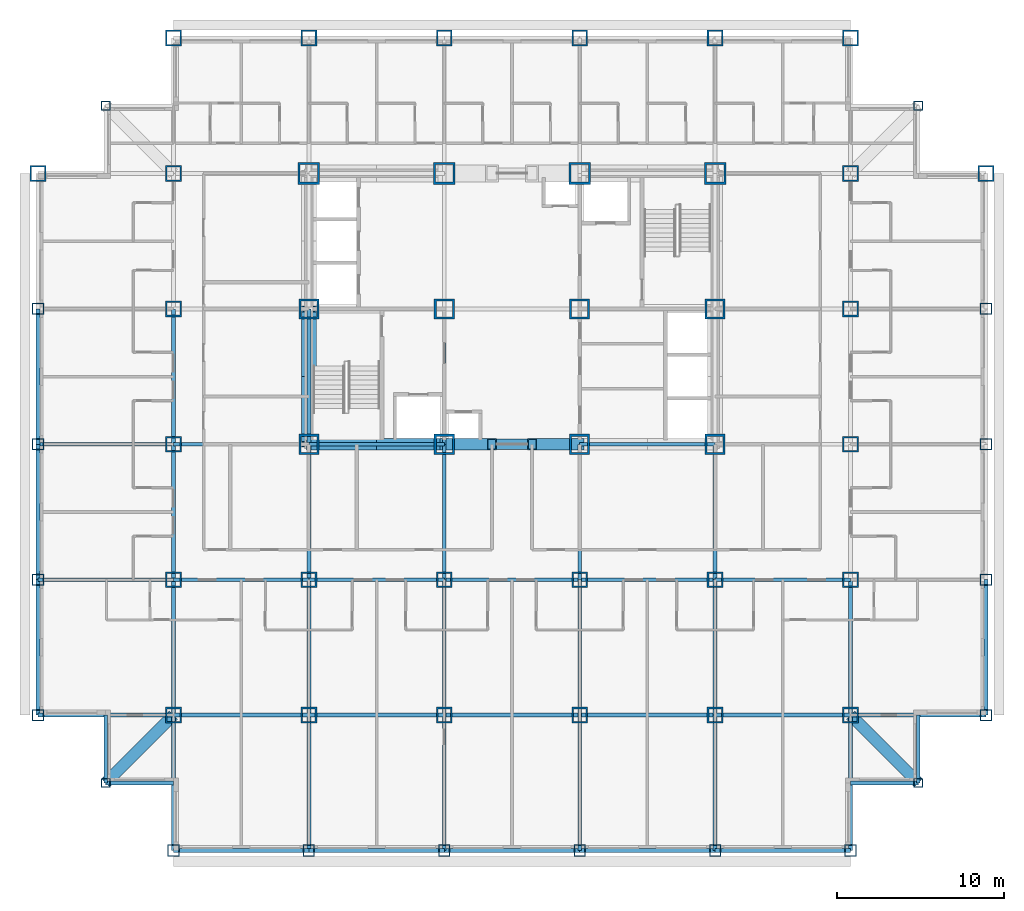
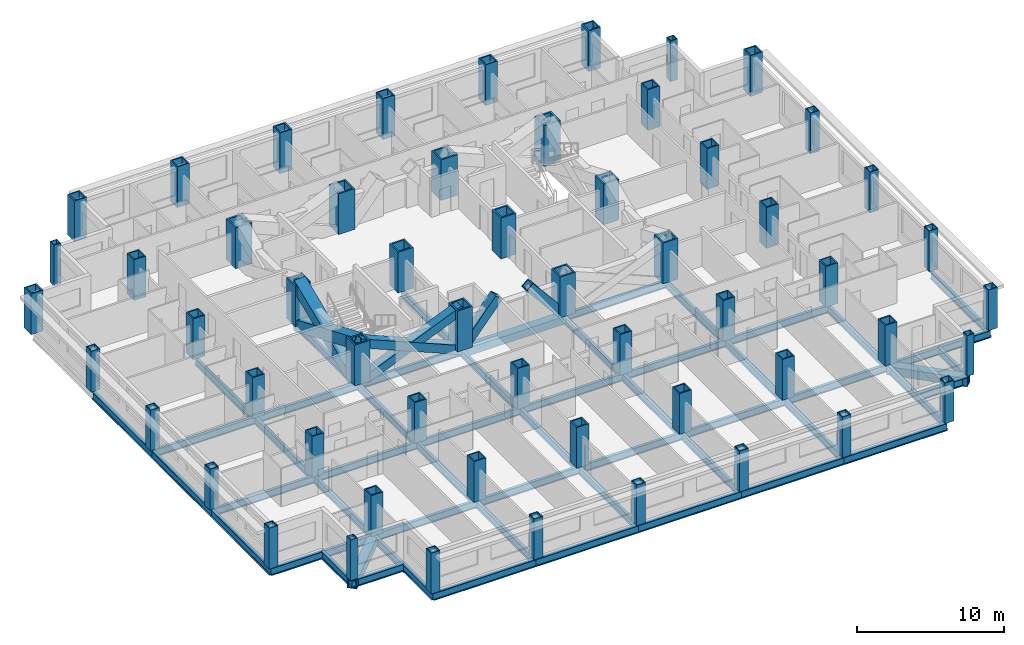
# One storey, part 1 of 12: 56 columns, 53 beams, 6 members.
"""IFC4 building model written with IfcOpenShell, lengths in metres."""

import ifcopenshell
import ifcopenshell.guid

model = None  # the IFC model being written
_history = None  # IfcOwnerHistory: only IFC2X3 demands one
_inside = {}  # id of a spatial element -> (the spatial element, [elements in it])
_under = {}  # id of a project, library or spatial element -> (it, [spatial elements below it])
_declared = {}  # id of a project -> (the project, [libraries it declares])
_typed = {}  # id of a type object -> (the type object, [elements of that type])
_made_of = {}  # id of a material, layer set ... -> (it, [elements and type objects made of it])


def new_model(schema):
    """Start an empty IFC model of exactly this schema.

    Asked for "IFC4X3", IfcOpenShell would pick the latest addendum, in which some entities
    have other attributes; the version numbers below select the first issue.
    IFC2X3 requires an IfcOwnerHistory on every rooted entity: one is made here for all.
    """
    global model, _history
    if schema == "IFC4X3":
        model = ifcopenshell.file(schema_version=(4, 3, 0, 0))
    else:
        model = ifcopenshell.file(schema=schema)
    _inside.clear()
    _under.clear()
    _declared.clear()
    _typed.clear()
    _made_of.clear()
    _history = None
    if model.schema == "IFC2X3":
        org = make("IfcOrganization", Name="unknown")
        user = make(
            "IfcPersonAndOrganization",
            ThePerson=make("IfcPerson", FamilyName="unknown"),
            TheOrganization=org,
        )
        app = make(
            "IfcApplication",
            ApplicationDeveloper=org,
            Version="unknown",
            ApplicationFullName="unknown",
            ApplicationIdentifier="unknown",
        )
        _history = make(
            "IfcOwnerHistory",
            OwningUser=user,
            OwningApplication=app,
            ChangeAction="ADDED",
            CreationDate=0,
        )
    return model


def make(cls, **values):
    """One entity of the class cls with the attributes given. An attribute that is None is left unset."""
    return model.create_entity(
        cls, **{name: value for name, value in values.items() if value is not None}
    )


def rooted(cls, **values):
    """An entity with a GlobalId (a new one), such as an element, a storey or a relation."""
    return make(cls, GlobalId=ifcopenshell.guid.new(), OwnerHistory=_history, **values)


def si_unit(unit_type, name, prefix=None):
    """IfcSIUnit, for example si_unit("LENGTHUNIT", "METRE", prefix="MILLI")."""
    return make("IfcSIUnit", UnitType=unit_type, Prefix=prefix, Name=name)


def assignment(units):
    """IfcUnitAssignment: the units of a project."""
    return None if units is None else make("IfcUnitAssignment", Units=units)


def point(xyz):
    """IfcCartesianPoint."""
    return None if xyz is None else make("IfcCartesianPoint", Coordinates=xyz)


def direction(xyz):
    """IfcDirection."""
    return None if xyz is None else make("IfcDirection", DirectionRatios=xyz)


def frame(location, z_axis=None, x_axis=None):
    """IfcAxis2Placement3D, a coordinate frame: its origin and axes. An axis left out is left unset."""
    return make(
        "IfcAxis2Placement3D",
        Location=point(location),
        Axis=direction(z_axis),
        RefDirection=direction(x_axis),
    )


def frame_2d(location, x_axis=None):
    """IfcAxis2Placement2D, a coordinate frame in the plane: its origin and x axis."""
    return make(
        "IfcAxis2Placement2D", Location=point(location), RefDirection=direction(x_axis)
    )


def origin():
    """The frame at (0, 0, 0) with its axes left unset."""
    return frame((0.0, 0.0, 0.0))


def origin_2d():
    """The frame at (0, 0) in the plane with its x axis left unset."""
    return frame_2d((0.0, 0.0))


def place(relative_to, where):
    """IfcLocalPlacement: puts the frame where relative to a parent placement (None: the world)."""
    return make(
        "IfcLocalPlacement", PlacementRelTo=relative_to, RelativePlacement=where
    )


def context(
    kind, dimensions, precision=None, world=None, true_north=None, identifier=None
):
    """IfcGeometricRepresentationContext, for example the 3D "Model" context."""
    return make(
        "IfcGeometricRepresentationContext",
        ContextIdentifier=identifier,
        ContextType=kind,
        CoordinateSpaceDimension=dimensions,
        Precision=precision,
        WorldCoordinateSystem=world,
        TrueNorth=true_north,
    )


def subcontext(parent, identifier, kind, view, scale=None):
    """IfcGeometricRepresentationSubContext, for example "Body" below "Model"."""
    return make(
        "IfcGeometricRepresentationSubContext",
        ContextIdentifier=identifier,
        ContextType=kind,
        ParentContext=parent,
        TargetScale=scale,
        TargetView=view,
    )


def project(units=None, contexts=None):
    """IfcProject with its units and contexts."""
    return rooted(
        "IfcProject",
        Name="project",
        RepresentationContexts=contexts,
        UnitsInContext=assignment(units),
    )


def spatial(cls, under=None, at=None, **own):
    """A site, building, storey or space (cls), placed at a placement, below another one or the project."""
    s = rooted(cls, ObjectPlacement=at, **own)
    if under is not None:
        _under.setdefault(under.id(), (under, []))[1].append(s)
    return s


def profile(cls, at=None, kind="AREA", **sizes):
    """A parametric profile (cls). Its sizes go by their IFC names, for example OverallWidth=200.0."""
    return make(cls, ProfileType=kind, Position=at, **sizes)


def hollow_rectangle(**sizes):
    """IfcRectangleHollowProfileDef."""
    return profile("IfcRectangleHollowProfileDef", **sizes)


def i_section(**sizes):
    """IfcIShapeProfileDef."""
    return profile("IfcIShapeProfileDef", **sizes)


def extrude(swept, where, along, depth):
    """IfcExtrudedAreaSolid: the profile swept, set in the frame where, extruded along a direction by depth."""
    return make(
        "IfcExtrudedAreaSolid",
        SweptArea=swept,
        Position=where,
        ExtrudedDirection=direction(along),
        Depth=depth,
    )


def shape(context_of_items, identifier, shape_type, items):
    """IfcShapeRepresentation: the items that make up one representation, for example the "Body"."""
    return make(
        "IfcShapeRepresentation",
        ContextOfItems=context_of_items,
        RepresentationIdentifier=identifier,
        RepresentationType=shape_type,
        Items=items,
    )


def material(Name=None, Category=None):
    """IfcMaterial."""
    return make("IfcMaterial", Name=Name, Category=Category)


def material_profile(
    of_material, cross_section, Name=None, Category=None, Priority=None
):
    """IfcMaterialProfile: a cross section and its material."""
    return make(
        "IfcMaterialProfile",
        Name=Name,
        Material=of_material,
        Profile=cross_section,
        Priority=Priority,
        Category=Category,
    )


def profile_set(profiles, Name=None, composite=None):
    """IfcMaterialProfileSet."""
    return make(
        "IfcMaterialProfileSet",
        Name=Name,
        MaterialProfiles=profiles,
        CompositeProfile=composite,
    )


def made_of(thing, what):
    """Note that an element or type object is made of a material, layer set ...; save() writes the relation."""
    if what is not None:
        _made_of.setdefault(what.id(), (what, []))[1].append(thing)
    return thing


def type_object(cls, material=None, **own):
    """A type object (cls), such as IfcWallType, which elements share."""
    return made_of(rooted(cls, **own), material)


def element(
    cls,
    number,
    at=None,
    inside=None,
    cuts=None,
    type_object=None,
    material=None,
    context=None,
    identifier="Body",
    shape_type=None,
    held_by="IfcProductDefinitionShape",
    body=None,
    shapes=None,
    **own,
):
    """One element of the class cls, such as IfcWall. Its Tag is "e" and its number.

    at: its placement. inside: the storey or other place that contains it. cuts: it is an
    opening in that element (IfcRelVoidsElement). A single representation is given by context,
    identifier, shape_type and body (its items); several are given by shapes. held_by: the class
    of the entity that holds the representations. save() writes the other relations.
    """
    e = rooted(cls, Tag="e%d" % number, ObjectPlacement=at, **own)
    if body is not None:
        shapes = [shape(context, identifier, shape_type, body)]
    if shapes is not None:
        e.Representation = make(held_by, Representations=shapes)
    if inside is not None:
        _inside.setdefault(inside.id(), (inside, []))[1].append(e)
    if cuts is not None:
        rooted(
            "IfcRelVoidsElement", RelatingBuildingElement=cuts, RelatedOpeningElement=e
        )
    if type_object is not None:
        _typed.setdefault(type_object.id(), (type_object, []))[1].append(e)
    return made_of(e, material)


def aggregate(whole, parts):
    """IfcRelAggregates: a whole, such as a stair, and the parts it consists of."""
    return rooted("IfcRelAggregates", RelatingObject=whole, RelatedObjects=parts)


def save(model, path):
    """Write the relations noted so far, then the file.

    IfcRelAggregates (storeys below a building ...), IfcRelContainedInSpatialStructure (elements
    in a storey), IfcRelDefinesByType, IfcRelAssociatesMaterial and IfcRelDeclares: one each for
    every whole, place, type object, material and project.
    """
    for whole, parts in _under.values():
        aggregate(whole, parts)
    for where, things in _inside.values():
        rooted(
            "IfcRelContainedInSpatialStructure",
            RelatedElements=things,
            RelatingStructure=where,
        )
    for kind, things in _typed.values():
        rooted("IfcRelDefinesByType", RelatedObjects=things, RelatingType=kind)
    for what, things in _made_of.values():
        rooted("IfcRelAssociatesMaterial", RelatedObjects=things, RelatingMaterial=what)
    for by, libraries in _declared.values():
        rooted("IfcRelDeclares", RelatingContext=by, RelatedDefinitions=libraries)
    model.write(path)


model = new_model("IFC4")

# Units and contexts
model_context = context("Model", 3, precision=1e-05, world=origin(), true_north=direction((0.0, 1.0)))
body_context = subcontext(model_context, "Body", "Model", "MODEL_VIEW")
ifc_project = project(units=[si_unit("LENGTHUNIT", "METRE"), si_unit("AREAUNIT", "SQUARE_METRE"), si_unit("VOLUMEUNIT", "CUBIC_METRE"), si_unit("PLANEANGLEUNIT", "RADIAN"), si_unit("MASSUNIT", "GRAM", prefix="KILO")], contexts=[model_context])

# Site, building, storey
site_placement = place(None, origin())
site = spatial("IfcSite", under=ifc_project, at=site_placement, CompositionType="ELEMENT")
building_placement = place(site_placement, origin())
building = spatial("IfcBuilding", under=site, at=building_placement, Name="Kopane Lantern Tower", CompositionType="ELEMENT")
storey_placement = place(building_placement, frame((0.0, 0.0, 43.199951171875)))
storey = spatial("IfcBuildingStorey", under=building, at=storey_placement, Name="L09", CompositionType="ELEMENT", Elevation=43.199951171875)

# Columns
ifc_material_1 = material(Name="Steel S355JR", Category="steel")
ifc_material_profile_1 = material_profile(ifc_material_1, hollow_rectangle(XDim=1.199951171875, YDim=1.199951171875, WallThickness=0.1201171875, at=origin_2d()), Name="BOX 1200x1200x120")
ifc_profile_set_1 = profile_set([ifc_material_profile_1], Name="Steel S355JR")
column_type_1 = type_object("IfcColumnType", Name="COLUMN BOX 1200x1200x120", PredefinedType="COLUMN", material=ifc_profile_set_1)
for number, where, z_axis, x_axis, name in (
    (1, (16.199951171875, 24.300048828125, 0.0), (0.0, 0.0, 1.0), (1.0, 0.0, 0.0), "Column 4/E L09"),
    (2, (16.199951171875, 32.39990234375, 0.0), (0.0, 0.0, 1.0), (1.0, 0.0, 0.0), "Column 4/F L09"),
    (3, (24.300048828125, 24.300048828125, 0.0), (0.0, 0.0, 1.0), (1.0, 0.0, 0.0), "Column 5/E L09"),
    (4, (24.300048828125, 32.39990234375, 0.0), (0.0, 0.0, 1.0), (1.0, 0.0, 0.0), "Column 5/F L09"),
    (5, (32.39990234375, 24.300048828125, 0.0), (0.0, 0.0, 1.0), (1.0, 0.0, 0.0), "Column 6/E L09"),
    (6, (32.39990234375, 32.39990234375, 0.0), (0.0, 0.0, 1.0), (1.0, 0.0, 0.0), "Column 6/F L09"),
    (7, (40.5, 24.300048828125, 0.0), (0.0, 0.0, 1.0), (1.0, 0.0, 0.0), "Column 7/E L09"),
    (8, (40.5, 32.39990234375, 0.0), (0.0, 0.0, 1.0), (1.0, 0.0, 0.0), "Column 7/F L09"),
):
    element("IfcColumn", number, at=place(storey_placement, frame(where, z_axis=z_axis, x_axis=x_axis)), inside=storey, type_object=column_type_1, Name=name, PredefinedType="COLUMN", context=body_context, shape_type="SweptSolid", body=[
        extrude(hollow_rectangle(XDim=1.199951171875, YDim=1.199951171875, WallThickness=0.1201171875, at=origin_2d()), origin(), (0.0, 0.0, 1.0), 3.400146484375),
    ])
ifc_material_2 = material(Name="Steel S355JR", Category="steel")
ifc_material_profile_2 = material_profile(ifc_material_2, hollow_rectangle(XDim=1.300048828125, YDim=1.300048828125, WallThickness=0.1298828125, at=origin_2d()), Name="BOX 1300x1300x130")
ifc_profile_set_2 = profile_set([ifc_material_profile_2], Name="Steel S355JR")
column_type_2 = type_object("IfcColumnType", Name="COLUMN BOX 1300x1300x130", PredefinedType="COLUMN", material=ifc_profile_set_2)
for number, where, z_axis, x_axis, name in (
    (9, (16.199951171875, 40.5, 0.0), (0.0, 0.0, 1.0), (1.0, 0.0, 0.0), "Column 4/G L09"),
    (10, (24.300048828125, 40.5, 0.0), (0.0, 0.0, 1.0), (1.0, 0.0, 0.0), "Column 5/G L09"),
    (11, (32.39990234375, 40.5, 0.0), (0.0, 0.0, 1.0), (1.0, 0.0, 0.0), "Column 6/G L09"),
    (12, (40.5, 40.5, 0.0), (0.0, 0.0, 1.0), (1.0, 0.0, 0.0), "Column 7/G L09"),
):
    element("IfcColumn", number, at=place(storey_placement, frame(where, z_axis=z_axis, x_axis=x_axis)), inside=storey, type_object=column_type_2, Name=name, PredefinedType="COLUMN", context=body_context, shape_type="SweptSolid", body=[
        extrude(hollow_rectangle(XDim=1.300048828125, YDim=1.300048828125, WallThickness=0.1298828125, at=origin_2d()), origin(), (0.0, 0.0, 1.0), 3.400146484375),
    ])
ifc_material_3 = material(Name="Steel S355JR", Category="steel")
ifc_material_profile_3 = material_profile(ifc_material_3, hollow_rectangle(XDim=0.550048828125, YDim=0.550048828125, WallThickness=0.050048828125, at=origin_2d()), Name="BOX 550x550x50")
ifc_profile_set_3 = profile_set([ifc_material_profile_3], Name="Steel S355JR")
column_type_3 = type_object("IfcColumnType", Name="COLUMN BOX 550x550x50", PredefinedType="COLUMN", material=ifc_profile_set_3)
for number, where, z_axis, x_axis, name in (
    (13, (4.050048828125, 4.050048828125, 0.0), (0.0, 0.0, 1.0), (1.0, 0.0, 0.0), "Column 4.05/4.05 L09"),
    (14, (4.050048828125, 44.550048828125, 0.0), (0.0, 0.0, 1.0), (1.0, 0.0, 0.0), "Column 4.05/44.55 L09"),
    (15, (52.64990234375, 4.050048828125, 0.0), (0.0, 0.0, 1.0), (1.0, 0.0, 0.0), "Column 52.65/4.05 L09"),
    (16, (52.64990234375, 44.550048828125, 0.0), (0.0, 0.0, 1.0), (1.0, 0.0, 0.0), "Column 52.65/44.55 L09"),
):
    element("IfcColumn", number, at=place(storey_placement, frame(where, z_axis=z_axis, x_axis=x_axis)), inside=storey, type_object=column_type_3, Name=name, PredefinedType="COLUMN", context=body_context, shape_type="SweptSolid", body=[
        extrude(hollow_rectangle(XDim=0.550048828125, YDim=0.550048828125, WallThickness=0.050048828125, at=origin_2d()), origin(), (0.0, 0.0, 1.0), 3.400146484375),
    ])
ifc_material_4 = material(Name="Steel S355JR", Category="steel")
ifc_material_profile_4 = material_profile(ifc_material_4, hollow_rectangle(XDim=0.699951171875, YDim=0.699951171875, WallThickness=0.06005859375, at=origin_2d()), Name="BOX 700x700x60")
ifc_profile_set_4 = profile_set([ifc_material_profile_4], Name="Steel S355JR")
column_type_4 = type_object("IfcColumnType", Name="COLUMN BOX 700x700x60", PredefinedType="COLUMN", material=ifc_profile_set_4)
for number, where, z_axis, x_axis, name in (
    (17, (0.0, 8.10009765625, 0.0), (0.0, 0.0, 1.0), (1.0, 0.0, 0.0), "Column 2/C L09"),
    (18, (0.0, 16.199951171875, 0.0), (0.0, 0.0, 1.0), (1.0, 0.0, 0.0), "Column 2/D L09"),
    (19, (0.0, 24.300048828125, 0.0), (0.0, 0.0, 1.0), (1.0, 0.0, 0.0), "Column 2/E L09"),
    (20, (0.0, 32.39990234375, 0.0), (0.0, 0.0, 1.0), (1.0, 0.0, 0.0), "Column 2/F L09"),
    (21, (8.10009765625, 0.0, 0.0), (0.0, 0.0, 1.0), (1.0, 0.0, 0.0), "Column 3/B L09"),
    (22, (16.199951171875, 0.0, 0.0), (0.0, 0.0, 1.0), (1.0, 0.0, 0.0), "Column 4/B L09"),
    (23, (24.300048828125, 0.0, 0.0), (0.0, 0.0, 1.0), (1.0, 0.0, 0.0), "Column 5/B L09"),
    (24, (32.39990234375, 0.0, 0.0), (0.0, 0.0, 1.0), (1.0, 0.0, 0.0), "Column 6/B L09"),
    (25, (40.5, 0.0, 0.0), (0.0, 0.0, 1.0), (1.0, 0.0, 0.0), "Column 7/B L09"),
    (26, (48.60009765625, 0.0, 0.0), (0.0, 0.0, 1.0), (1.0, 0.0, 0.0), "Column 8/B L09"),
    (27, (56.699951171875, 8.10009765625, 0.0), (0.0, 0.0, 1.0), (1.0, 0.0, 0.0), "Column 9/C L09"),
    (28, (56.699951171875, 16.199951171875, 0.0), (0.0, 0.0, 1.0), (1.0, 0.0, 0.0), "Column 9/D L09"),
    (29, (56.699951171875, 24.300048828125, 0.0), (0.0, 0.0, 1.0), (1.0, 0.0, 0.0), "Column 9/E L09"),
    (30, (56.699951171875, 32.39990234375, 0.0), (0.0, 0.0, 1.0), (1.0, 0.0, 0.0), "Column 9/F L09"),
):
    element("IfcColumn", number, at=place(storey_placement, frame(where, z_axis=z_axis, x_axis=x_axis)), inside=storey, type_object=column_type_4, Name=name, PredefinedType="COLUMN", context=body_context, shape_type="SweptSolid", body=[
        extrude(hollow_rectangle(XDim=0.699951171875, YDim=0.699951171875, WallThickness=0.06005859375, at=origin_2d()), origin(), (0.0, 0.0, 1.0), 3.400146484375),
    ])
ifc_material_5 = material(Name="Steel S355JR", Category="steel")
ifc_material_profile_5 = material_profile(ifc_material_5, hollow_rectangle(XDim=0.949951171875, YDim=0.949951171875, WallThickness=0.094970703125, at=origin_2d()), Name="BOX 950x950x95")
ifc_profile_set_5 = profile_set([ifc_material_profile_5], Name="Steel S355JR")
column_type_5 = type_object("IfcColumnType", Name="COLUMN BOX 950x950x95", PredefinedType="COLUMN", material=ifc_profile_set_5)
for number, where, z_axis, x_axis, name in (
    (31, (0.0, 40.5, 0.0), (0.0, 0.0, 1.0), (1.0, 0.0, 0.0), "Column 2/G L09"),
    (32, (8.10009765625, 8.10009765625, 0.0), (0.0, 0.0, 1.0), (1.0, 0.0, 0.0), "Column 3/C L09"),
    (33, (8.10009765625, 16.199951171875, 0.0), (0.0, 0.0, 1.0), (1.0, 0.0, 0.0), "Column 3/D L09"),
    (34, (8.10009765625, 24.300048828125, 0.0), (0.0, 0.0, 1.0), (1.0, 0.0, 0.0), "Column 3/E L09"),
    (35, (8.10009765625, 32.39990234375, 0.0), (0.0, 0.0, 1.0), (1.0, 0.0, 0.0), "Column 3/F L09"),
    (36, (8.10009765625, 40.5, 0.0), (0.0, 0.0, 1.0), (1.0, 0.0, 0.0), "Column 3/G L09"),
    (37, (8.10009765625, 48.60009765625, 0.0), (0.0, 0.0, 1.0), (1.0, 0.0, 0.0), "Column 3/H L09"),
    (38, (16.199951171875, 8.10009765625, 0.0), (0.0, 0.0, 1.0), (1.0, 0.0, 0.0), "Column 4/C L09"),
    (39, (16.199951171875, 16.199951171875, 0.0), (0.0, 0.0, 1.0), (1.0, 0.0, 0.0), "Column 4/D L09"),
    (40, (16.199951171875, 48.60009765625, 0.0), (0.0, 0.0, 1.0), (1.0, 0.0, 0.0), "Column 4/H L09"),
    (41, (24.300048828125, 8.10009765625, 0.0), (0.0, 0.0, 1.0), (1.0, 0.0, 0.0), "Column 5/C L09"),
    (42, (24.300048828125, 16.199951171875, 0.0), (0.0, 0.0, 1.0), (1.0, 0.0, 0.0), "Column 5/D L09"),
    (43, (24.300048828125, 48.60009765625, 0.0), (0.0, 0.0, 1.0), (1.0, 0.0, 0.0), "Column 5/H L09"),
    (44, (32.39990234375, 8.10009765625, 0.0), (0.0, 0.0, 1.0), (1.0, 0.0, 0.0), "Column 6/C L09"),
    (45, (32.39990234375, 16.199951171875, 0.0), (0.0, 0.0, 1.0), (1.0, 0.0, 0.0), "Column 6/D L09"),
    (46, (32.39990234375, 48.60009765625, 0.0), (0.0, 0.0, 1.0), (1.0, 0.0, 0.0), "Column 6/H L09"),
    (47, (40.5, 8.10009765625, 0.0), (0.0, 0.0, 1.0), (1.0, 0.0, 0.0), "Column 7/C L09"),
    (48, (40.5, 16.199951171875, 0.0), (0.0, 0.0, 1.0), (1.0, 0.0, 0.0), "Column 7/D L09"),
    (49, (40.5, 48.60009765625, 0.0), (0.0, 0.0, 1.0), (1.0, 0.0, 0.0), "Column 7/H L09"),
    (50, (48.60009765625, 8.10009765625, 0.0), (0.0, 0.0, 1.0), (1.0, 0.0, 0.0), "Column 8/C L09"),
    (51, (48.60009765625, 16.199951171875, 0.0), (0.0, 0.0, 1.0), (1.0, 0.0, 0.0), "Column 8/D L09"),
    (52, (48.60009765625, 24.300048828125, 0.0), (0.0, 0.0, 1.0), (1.0, 0.0, 0.0), "Column 8/E L09"),
    (53, (48.60009765625, 32.39990234375, 0.0), (0.0, 0.0, 1.0), (1.0, 0.0, 0.0), "Column 8/F L09"),
    (54, (48.60009765625, 40.5, 0.0), (0.0, 0.0, 1.0), (1.0, 0.0, 0.0), "Column 8/G L09"),
    (55, (48.60009765625, 48.60009765625, 0.0), (0.0, 0.0, 1.0), (1.0, 0.0, 0.0), "Column 8/H L09"),
    (56, (56.699951171875, 40.5, 0.0), (0.0, 0.0, 1.0), (1.0, 0.0, 0.0), "Column 9/G L09"),
):
    element("IfcColumn", number, at=place(storey_placement, frame(where, z_axis=z_axis, x_axis=x_axis)), inside=storey, type_object=column_type_5, Name=name, PredefinedType="COLUMN", context=body_context, shape_type="SweptSolid", body=[
        extrude(hollow_rectangle(XDim=0.949951171875, YDim=0.949951171875, WallThickness=0.094970703125, at=origin_2d()), origin(), (0.0, 0.0, 1.0), 3.400146484375),
    ])

# Members
ifc_material_6 = material(Name="Steel S355JR", Category="steel")
ifc_material_profile_6 = material_profile(ifc_material_6, hollow_rectangle(XDim=0.699951171875, YDim=0.699951171875, WallThickness=0.06005859375, at=origin_2d()), Name="BOX 700x700x60")
ifc_profile_set_6 = profile_set([ifc_material_profile_6], Name="Steel S355JR")
member_type_1 = type_object("IfcMemberType", Name="BRACE BOX 700x700x60", PredefinedType="BRACE", material=ifc_profile_set_6)
for number, where, z_axis, x_axis, name in (
    (57, (16.199951171875, 24.300048828125, -0.2099609375), (0.922069000757, 0.0, 0.387025526088), (0.0, 1.0, 0.0), "Core brace L09"),
    (58, (24.300048828125, 24.300048828125, -0.2099609375), (-0.922069000757, 0.0, 0.387025526088), (0.0, -1.0, 0.0), "Core brace L09"),
):
    element("IfcMember", number, at=place(storey_placement, frame(where, z_axis=z_axis, x_axis=x_axis)), inside=storey, type_object=member_type_1, Name=name, PredefinedType="BRACE", context=body_context, shape_type="SweptSolid", body=[
        extrude(hollow_rectangle(XDim=0.699951171875, YDim=0.699951171875, WallThickness=0.06005859375, at=origin_2d()), origin(), (0.0, 0.0, 1.0), 8.78466796875),
    ])
for number, where, z_axis, x_axis, name in (
    (59, (24.300048828125, 24.300048828125, -0.2099609375), (0.642390257445, 0.0, 0.7663776857), (0.0, 1.0, 0.0), "Core brace L09"),
    (60, (32.39990234375, 24.300048828125, -0.2099609375), (-0.642390257445, 0.0, 0.7663776857), (0.0, -1.0, 0.0), "Core brace L09"),
):
    element("IfcMember", number, at=place(storey_placement, frame(where, z_axis=z_axis, x_axis=x_axis)), inside=storey, type_object=member_type_1, Name=name, PredefinedType="BRACE", context=body_context, shape_type="SweptSolid", body=[
        extrude(hollow_rectangle(XDim=0.699951171875, YDim=0.699951171875, WallThickness=0.06005859375, at=origin_2d()), origin(), (0.0, 0.0, 1.0), 4.436279296875),
    ])
ifc_material_7 = material(Name="Steel S355JR", Category="steel")
ifc_material_profile_7 = material_profile(ifc_material_7, hollow_rectangle(XDim=0.89990234375, YDim=0.89990234375, WallThickness=0.090087890625, at=origin_2d()), Name="BOX 900x900x90")
ifc_profile_set_7 = profile_set([ifc_material_profile_7], Name="Steel S355JR")
member_type_2 = type_object("IfcMemberType", Name="BRACE BOX 900x900x90", PredefinedType="BRACE", material=ifc_profile_set_7)
for number, where, z_axis, x_axis, name in (
    (61, (16.199951171875, 24.300048828125, -0.2099609375), (0.0, 0.922064837731, 0.38703544414), (-1.0, 0.0, 0.0), "Core brace L09"),
    (62, (16.199951171875, 32.39990234375, -0.2099609375), (0.0, -0.922064837731, 0.38703544414), (1.0, 0.0, 0.0), "Core brace L09"),
):
    element("IfcMember", number, at=place(storey_placement, frame(where, z_axis=z_axis, x_axis=x_axis)), inside=storey, type_object=member_type_2, Name=name, PredefinedType="BRACE", context=body_context, shape_type="SweptSolid", body=[
        extrude(hollow_rectangle(XDim=0.89990234375, YDim=0.89990234375, WallThickness=0.090087890625, at=origin_2d()), origin(), (0.0, 0.0, 1.0), 8.784423828125),
    ])

# Beams
ifc_material_8 = material(Name="Steel S355JR", Category="steel")
ifc_material_profile_8 = material_profile(ifc_material_8, i_section(OverallWidth=0.22900390625, OverallDepth=0.6123046875, WebThickness=0.011962890625, FlangeThickness=0.01953125, FilletRadius=0.0126953125, at=origin_2d()), Name="UB 610x229x125")
ifc_profile_set_8 = profile_set([ifc_material_profile_8], Name="Steel S355JR")
beam_type_1 = type_object("IfcBeamType", Name="CORE BEAM UB 610x229x125", PredefinedType="BEAM", material=ifc_profile_set_8)
beam_1_placement = place(storey_placement, frame((24.300048828125, 24.300048828125, -0.51611328125), z_axis=(0.0, 1.0, 0.0), x_axis=(-1.0, 0.0, 0.0)))
element("IfcBeam", 63, at=beam_1_placement, inside=storey, type_object=beam_type_1, Name="Core Beam L09", PredefinedType="BEAM", context=body_context, shape_type="SweptSolid", body=[
    extrude(i_section(OverallWidth=0.22900390625, OverallDepth=0.6123046875, WebThickness=0.011962890625, FlangeThickness=0.01953125, FilletRadius=0.0126953125, at=origin_2d()), origin(), (0.0, 0.0, 1.0), 8.099853515625),
])
ifc_material_9 = material(Name="Steel S355JR", Category="steel")
ifc_material_profile_9 = material_profile(ifc_material_9, hollow_rectangle(XDim=0.699951171875, YDim=0.699951171875, WallThickness=0.06005859375, at=origin_2d()), Name="BOX 700x700x60")
ifc_profile_set_9 = profile_set([ifc_material_profile_9], Name="Steel S355JR")
beam_type_2 = type_object("IfcBeamType", Name="CORNER TIE BEAM BOX 700x700x60", PredefinedType="BEAM", material=ifc_profile_set_9)
for number, where, z_axis, x_axis, name in (
    (64, (4.050048828125, 4.050048828125, -0.56005859375), (0.707106781187, 0.707106781187, 0.0), (-0.707106781187, 0.707106781187, 0.0), "Corner Tie Beam L09"),
    (65, (52.64990234375, 4.050048828125, -0.56005859375), (-0.707085467703, 0.707128094028, 0.0), (-0.707128094028, -0.707085467703, 0.0), "Corner Tie Beam L09"),
):
    element("IfcBeam", number, at=place(storey_placement, frame(where, z_axis=z_axis, x_axis=x_axis)), inside=storey, type_object=beam_type_2, Name=name, PredefinedType="BEAM", context=body_context, shape_type="SweptSolid", body=[
        extrude(hollow_rectangle(XDim=0.699951171875, YDim=0.699951171875, WallThickness=0.06005859375, at=origin_2d()), origin(), (0.0, 0.0, 1.0), 5.7275390625),
    ])
ifc_material_10 = material(Name="Steel S355JR", Category="steel")
ifc_material_profile_10 = material_profile(ifc_material_10, i_section(OverallWidth=0.22900390625, OverallDepth=0.6123046875, WebThickness=0.011962890625, FlangeThickness=0.01953125, FilletRadius=0.0126953125, at=origin_2d()), Name="UB 610x229x125")
ifc_profile_set_10 = profile_set([ifc_material_profile_10], Name="Steel S355JR")
beam_type_3 = type_object("IfcBeamType", Name="EDGE BEAM UB 610x229x125", PredefinedType="BEAM", material=ifc_profile_set_10)
for number, where, z_axis, x_axis, name in (
    (66, (4.050048828125, 4.050048828125, -0.51611328125), (0.0, 1.0, 0.0), (-1.0, 0.0, 0.0), "Edge Beam L09"),
    (67, (4.050048828125, 4.050048828125, -0.51611328125), (1.0, 0.0, 0.0), (0.0, 1.0, 0.0), "Edge Beam L09"),
):
    element("IfcBeam", number, at=place(storey_placement, frame(where, z_axis=z_axis, x_axis=x_axis)), inside=storey, type_object=beam_type_3, Name=name, PredefinedType="BEAM", context=body_context, shape_type="SweptSolid", body=[
        extrude(i_section(OverallWidth=0.22900390625, OverallDepth=0.6123046875, WebThickness=0.011962890625, FlangeThickness=0.01953125, FilletRadius=0.0126953125, at=origin_2d()), origin(), (0.0, 0.0, 1.0), 4.050048828125),
    ])
beam_2_placement = place(storey_placement, frame((52.64990234375, 4.050048828125, -0.51611328125), z_axis=(-1.0, 0.0, 0.0), x_axis=(0.0, -1.0, 0.0)))
element("IfcBeam", 68, at=beam_2_placement, inside=storey, type_object=beam_type_3, Name="Edge Beam L09", PredefinedType="BEAM", context=body_context, shape_type="SweptSolid", body=[
    extrude(i_section(OverallWidth=0.22900390625, OverallDepth=0.6123046875, WebThickness=0.011962890625, FlangeThickness=0.01953125, FilletRadius=0.0126953125, at=origin_2d()), origin(), (0.0, 0.0, 1.0), 4.0498046875),
])
beam_3_placement = place(storey_placement, frame((52.64990234375, 4.050048828125, -0.51611328125), z_axis=(0.0, 1.0, 0.0), x_axis=(-1.0, 0.0, 0.0)))
element("IfcBeam", 69, at=beam_3_placement, inside=storey, type_object=beam_type_3, Name="Edge Beam L09", PredefinedType="BEAM", context=body_context, shape_type="SweptSolid", body=[
    extrude(i_section(OverallWidth=0.22900390625, OverallDepth=0.6123046875, WebThickness=0.011962890625, FlangeThickness=0.01953125, FilletRadius=0.0126953125, at=origin_2d()), origin(), (0.0, 0.0, 1.0), 4.050048828125),
])
ifc_material_11 = material(Name="Steel S355JR", Category="steel")
ifc_material_profile_11 = material_profile(ifc_material_11, i_section(OverallWidth=0.22900390625, OverallDepth=0.6123046875, WebThickness=0.011962890625, FlangeThickness=0.01953125, FilletRadius=0.0126953125, at=origin_2d()), Name="UB 610x229x125")
ifc_profile_set_11 = profile_set([ifc_material_profile_11], Name="Steel S355JR")
beam_type_4 = type_object("IfcBeamType", Name="GIRDER UB 610x229x125", PredefinedType="BEAM", material=ifc_profile_set_11)
beam_4_placement = place(storey_placement, frame((0.0, 8.10009765625, -0.51611328125), z_axis=(0.0, 1.0, 0.0), x_axis=(-1.0, 0.0, 0.0)))
element("IfcBeam", 70, at=beam_4_placement, inside=storey, type_object=beam_type_4, Name="Girder L09", PredefinedType="BEAM", context=body_context, shape_type="SweptSolid", body=[
    extrude(i_section(OverallWidth=0.22900390625, OverallDepth=0.6123046875, WebThickness=0.011962890625, FlangeThickness=0.01953125, FilletRadius=0.0126953125, at=origin_2d()), origin(), (0.0, 0.0, 1.0), 8.099853515625),
])
for number, where, z_axis, x_axis, name in (
    (71, (0.0, 8.10009765625, -0.51611328125), (1.0, 0.0, 0.0), (0.0, 1.0, 0.0), "Girder L09"),
    (72, (0.0, 16.199951171875, -0.51611328125), (0.0, 1.0, 0.0), (-1.0, 0.0, 0.0), "Girder L09"),
    (73, (0.0, 16.199951171875, -0.51611328125), (1.0, 0.0, 0.0), (0.0, 1.0, 0.0), "Girder L09"),
):
    element("IfcBeam", number, at=place(storey_placement, frame(where, z_axis=z_axis, x_axis=x_axis)), inside=storey, type_object=beam_type_4, Name=name, PredefinedType="BEAM", context=body_context, shape_type="SweptSolid", body=[
        extrude(i_section(OverallWidth=0.22900390625, OverallDepth=0.6123046875, WebThickness=0.011962890625, FlangeThickness=0.01953125, FilletRadius=0.0126953125, at=origin_2d()), origin(), (0.0, 0.0, 1.0), 8.10009765625),
    ])
beam_5_placement = place(storey_placement, frame((0.0, 24.300048828125, -0.51611328125), z_axis=(0.0, 1.0, 0.0), x_axis=(-1.0, 0.0, 0.0)))
element("IfcBeam", 74, at=beam_5_placement, inside=storey, type_object=beam_type_4, Name="Girder L09", PredefinedType="BEAM", context=body_context, shape_type="SweptSolid", body=[
    extrude(i_section(OverallWidth=0.22900390625, OverallDepth=0.6123046875, WebThickness=0.011962890625, FlangeThickness=0.01953125, FilletRadius=0.0126953125, at=origin_2d()), origin(), (0.0, 0.0, 1.0), 8.099853515625),
])
for number, where, z_axis, x_axis, name in (
    (75, (0.0, 24.300048828125, -0.51611328125), (1.0, 0.0, 0.0), (0.0, 1.0, 0.0), "Girder L09"),
    (76, (8.10009765625, 0.0, -0.51611328125), (0.0, 1.0, 0.0), (-1.0, 0.0, 0.0), "Girder L09"),
):
    element("IfcBeam", number, at=place(storey_placement, frame(where, z_axis=z_axis, x_axis=x_axis)), inside=storey, type_object=beam_type_4, Name=name, PredefinedType="BEAM", context=body_context, shape_type="SweptSolid", body=[
        extrude(i_section(OverallWidth=0.22900390625, OverallDepth=0.6123046875, WebThickness=0.011962890625, FlangeThickness=0.01953125, FilletRadius=0.0126953125, at=origin_2d()), origin(), (0.0, 0.0, 1.0), 8.10009765625),
    ])
for number, where, z_axis, x_axis, name in (
    (77, (8.10009765625, 0.0, -0.51611328125), (1.0, 0.0, 0.0), (0.0, 1.0, 0.0), "Girder L09"),
    (78, (8.10009765625, 8.10009765625, -0.51611328125), (0.0, 1.0, 0.0), (-1.0, 0.0, 0.0), "Girder L09"),
    (79, (8.10009765625, 8.10009765625, -0.51611328125), (1.0, 0.0, 0.0), (0.0, 1.0, 0.0), "Girder L09"),
):
    element("IfcBeam", number, at=place(storey_placement, frame(where, z_axis=z_axis, x_axis=x_axis)), inside=storey, type_object=beam_type_4, Name=name, PredefinedType="BEAM", context=body_context, shape_type="SweptSolid", body=[
        extrude(i_section(OverallWidth=0.22900390625, OverallDepth=0.6123046875, WebThickness=0.011962890625, FlangeThickness=0.01953125, FilletRadius=0.0126953125, at=origin_2d()), origin(), (0.0, 0.0, 1.0), 8.099853515625),
    ])
beam_6_placement = place(storey_placement, frame((8.10009765625, 16.199951171875, -0.51611328125), z_axis=(0.0, 1.0, 0.0), x_axis=(-1.0, 0.0, 0.0)))
element("IfcBeam", 80, at=beam_6_placement, inside=storey, type_object=beam_type_4, Name="Girder L09", PredefinedType="BEAM", context=body_context, shape_type="SweptSolid", body=[
    extrude(i_section(OverallWidth=0.22900390625, OverallDepth=0.6123046875, WebThickness=0.011962890625, FlangeThickness=0.01953125, FilletRadius=0.0126953125, at=origin_2d()), origin(), (0.0, 0.0, 1.0), 8.10009765625),
])
for number, where, z_axis, x_axis, name in (
    (81, (8.10009765625, 16.199951171875, -0.51611328125), (1.0, 0.0, 0.0), (0.0, 1.0, 0.0), "Girder L09"),
    (82, (8.10009765625, 24.300048828125, -0.51611328125), (0.0, 1.0, 0.0), (-1.0, 0.0, 0.0), "Girder L09"),
    (83, (8.10009765625, 24.300048828125, -0.51611328125), (1.0, 0.0, 0.0), (0.0, 1.0, 0.0), "Girder L09"),
):
    element("IfcBeam", number, at=place(storey_placement, frame(where, z_axis=z_axis, x_axis=x_axis)), inside=storey, type_object=beam_type_4, Name=name, PredefinedType="BEAM", context=body_context, shape_type="SweptSolid", body=[
        extrude(i_section(OverallWidth=0.22900390625, OverallDepth=0.6123046875, WebThickness=0.011962890625, FlangeThickness=0.01953125, FilletRadius=0.0126953125, at=origin_2d()), origin(), (0.0, 0.0, 1.0), 8.099853515625),
    ])
for number, where, z_axis, x_axis, name in (
    (84, (16.199951171875, 0.0, -0.51611328125), (0.0, 1.0, 0.0), (-1.0, 0.0, 0.0), "Girder L09"),
    (85, (16.199951171875, 0.0, -0.51611328125), (1.0, 0.0, 0.0), (0.0, 1.0, 0.0), "Girder L09"),
):
    element("IfcBeam", number, at=place(storey_placement, frame(where, z_axis=z_axis, x_axis=x_axis)), inside=storey, type_object=beam_type_4, Name=name, PredefinedType="BEAM", context=body_context, shape_type="SweptSolid", body=[
        extrude(i_section(OverallWidth=0.22900390625, OverallDepth=0.6123046875, WebThickness=0.011962890625, FlangeThickness=0.01953125, FilletRadius=0.0126953125, at=origin_2d()), origin(), (0.0, 0.0, 1.0), 8.10009765625),
    ])
beam_7_placement = place(storey_placement, frame((16.199951171875, 8.10009765625, -0.51611328125), z_axis=(0.0, 1.0, 0.0), x_axis=(-1.0, 0.0, 0.0)))
element("IfcBeam", 86, at=beam_7_placement, inside=storey, type_object=beam_type_4, Name="Girder L09", PredefinedType="BEAM", context=body_context, shape_type="SweptSolid", body=[
    extrude(i_section(OverallWidth=0.22900390625, OverallDepth=0.6123046875, WebThickness=0.011962890625, FlangeThickness=0.01953125, FilletRadius=0.0126953125, at=origin_2d()), origin(), (0.0, 0.0, 1.0), 8.099853515625),
])
for number, where, z_axis, x_axis, name in (
    (87, (16.199951171875, 8.10009765625, -0.51611328125), (1.0, 0.0, 0.0), (0.0, 1.0, 0.0), "Girder L09"),
    (88, (16.199951171875, 16.199951171875, -0.51611328125), (0.0, 1.0, 0.0), (-1.0, 0.0, 0.0), "Girder L09"),
    (89, (16.199951171875, 16.199951171875, -0.51611328125), (1.0, 0.0, 0.0), (0.0, 1.0, 0.0), "Girder L09"),
):
    element("IfcBeam", number, at=place(storey_placement, frame(where, z_axis=z_axis, x_axis=x_axis)), inside=storey, type_object=beam_type_4, Name=name, PredefinedType="BEAM", context=body_context, shape_type="SweptSolid", body=[
        extrude(i_section(OverallWidth=0.22900390625, OverallDepth=0.6123046875, WebThickness=0.011962890625, FlangeThickness=0.01953125, FilletRadius=0.0126953125, at=origin_2d()), origin(), (0.0, 0.0, 1.0), 8.10009765625),
    ])
beam_8_placement = place(storey_placement, frame((16.199951171875, 24.300048828125, -0.51611328125), z_axis=(0.0, 1.0, 0.0), x_axis=(-1.0, 0.0, 0.0)))
element("IfcBeam", 90, at=beam_8_placement, inside=storey, type_object=beam_type_4, Name="Girder L09", PredefinedType="BEAM", context=body_context, shape_type="SweptSolid", body=[
    extrude(i_section(OverallWidth=0.22900390625, OverallDepth=0.6123046875, WebThickness=0.011962890625, FlangeThickness=0.01953125, FilletRadius=0.0126953125, at=origin_2d()), origin(), (0.0, 0.0, 1.0), 8.099853515625),
])
for number, where, z_axis, x_axis, name in (
    (91, (16.199951171875, 24.300048828125, -0.51611328125), (1.0, 0.0, 0.0), (0.0, 1.0, 0.0), "Girder L09"),
    (92, (24.300048828125, 0.0, -0.51611328125), (0.0, 1.0, 0.0), (-1.0, 0.0, 0.0), "Girder L09"),
):
    element("IfcBeam", number, at=place(storey_placement, frame(where, z_axis=z_axis, x_axis=x_axis)), inside=storey, type_object=beam_type_4, Name=name, PredefinedType="BEAM", context=body_context, shape_type="SweptSolid", body=[
        extrude(i_section(OverallWidth=0.22900390625, OverallDepth=0.6123046875, WebThickness=0.011962890625, FlangeThickness=0.01953125, FilletRadius=0.0126953125, at=origin_2d()), origin(), (0.0, 0.0, 1.0), 8.10009765625),
    ])
for number, where, z_axis, x_axis, name in (
    (93, (24.300048828125, 0.0, -0.51611328125), (1.0, 0.0, 0.0), (0.0, 1.0, 0.0), "Girder L09"),
    (94, (24.300048828125, 8.10009765625, -0.51611328125), (0.0, 1.0, 0.0), (-1.0, 0.0, 0.0), "Girder L09"),
    (95, (24.300048828125, 8.10009765625, -0.51611328125), (1.0, 0.0, 0.0), (0.0, 1.0, 0.0), "Girder L09"),
):
    element("IfcBeam", number, at=place(storey_placement, frame(where, z_axis=z_axis, x_axis=x_axis)), inside=storey, type_object=beam_type_4, Name=name, PredefinedType="BEAM", context=body_context, shape_type="SweptSolid", body=[
        extrude(i_section(OverallWidth=0.22900390625, OverallDepth=0.6123046875, WebThickness=0.011962890625, FlangeThickness=0.01953125, FilletRadius=0.0126953125, at=origin_2d()), origin(), (0.0, 0.0, 1.0), 8.099853515625),
    ])
beam_9_placement = place(storey_placement, frame((24.300048828125, 16.199951171875, -0.51611328125), z_axis=(0.0, 1.0, 0.0), x_axis=(-1.0, 0.0, 0.0)))
element("IfcBeam", 96, at=beam_9_placement, inside=storey, type_object=beam_type_4, Name="Girder L09", PredefinedType="BEAM", context=body_context, shape_type="SweptSolid", body=[
    extrude(i_section(OverallWidth=0.22900390625, OverallDepth=0.6123046875, WebThickness=0.011962890625, FlangeThickness=0.01953125, FilletRadius=0.0126953125, at=origin_2d()), origin(), (0.0, 0.0, 1.0), 8.10009765625),
])
beam_10_placement = place(storey_placement, frame((24.300048828125, 16.199951171875, -0.51611328125), z_axis=(1.0, 0.0, 0.0), x_axis=(0.0, 1.0, 0.0)))
element("IfcBeam", 97, at=beam_10_placement, inside=storey, type_object=beam_type_4, Name="Girder L09", PredefinedType="BEAM", context=body_context, shape_type="SweptSolid", body=[
    extrude(i_section(OverallWidth=0.22900390625, OverallDepth=0.6123046875, WebThickness=0.011962890625, FlangeThickness=0.01953125, FilletRadius=0.0126953125, at=origin_2d()), origin(), (0.0, 0.0, 1.0), 8.099853515625),
])
for number, where, z_axis, x_axis, name in (
    (98, (32.39990234375, 0.0, -0.51611328125), (0.0, 1.0, 0.0), (-1.0, 0.0, 0.0), "Girder L09"),
    (99, (32.39990234375, 0.0, -0.51611328125), (1.0, 0.0, 0.0), (0.0, 1.0, 0.0), "Girder L09"),
):
    element("IfcBeam", number, at=place(storey_placement, frame(where, z_axis=z_axis, x_axis=x_axis)), inside=storey, type_object=beam_type_4, Name=name, PredefinedType="BEAM", context=body_context, shape_type="SweptSolid", body=[
        extrude(i_section(OverallWidth=0.22900390625, OverallDepth=0.6123046875, WebThickness=0.011962890625, FlangeThickness=0.01953125, FilletRadius=0.0126953125, at=origin_2d()), origin(), (0.0, 0.0, 1.0), 8.10009765625),
    ])
beam_11_placement = place(storey_placement, frame((32.39990234375, 8.10009765625, -0.51611328125), z_axis=(0.0, 1.0, 0.0), x_axis=(-1.0, 0.0, 0.0)))
element("IfcBeam", 100, at=beam_11_placement, inside=storey, type_object=beam_type_4, Name="Girder L09", PredefinedType="BEAM", context=body_context, shape_type="SweptSolid", body=[
    extrude(i_section(OverallWidth=0.22900390625, OverallDepth=0.6123046875, WebThickness=0.011962890625, FlangeThickness=0.01953125, FilletRadius=0.0126953125, at=origin_2d()), origin(), (0.0, 0.0, 1.0), 8.099853515625),
])
for number, where, z_axis, x_axis, name in (
    (101, (32.39990234375, 8.10009765625, -0.51611328125), (1.0, 0.0, 0.0), (0.0, 1.0, 0.0), "Girder L09"),
    (102, (32.39990234375, 16.199951171875, -0.51611328125), (0.0, 1.0, 0.0), (-1.0, 0.0, 0.0), "Girder L09"),
    (103, (32.39990234375, 16.199951171875, -0.51611328125), (1.0, 0.0, 0.0), (0.0, 1.0, 0.0), "Girder L09"),
    (104, (32.39990234375, 24.300048828125, -0.51611328125), (1.0, 0.0, 0.0), (0.0, 1.0, 0.0), "Girder L09"),
    (105, (40.5, 0.0, -0.51611328125), (0.0, 1.0, 0.0), (-1.0, 0.0, 0.0), "Girder L09"),
    (106, (40.5, 0.0, -0.51611328125), (1.0, 0.0, 0.0), (0.0, 1.0, 0.0), "Girder L09"),
):
    element("IfcBeam", number, at=place(storey_placement, frame(where, z_axis=z_axis, x_axis=x_axis)), inside=storey, type_object=beam_type_4, Name=name, PredefinedType="BEAM", context=body_context, shape_type="SweptSolid", body=[
        extrude(i_section(OverallWidth=0.22900390625, OverallDepth=0.6123046875, WebThickness=0.011962890625, FlangeThickness=0.01953125, FilletRadius=0.0126953125, at=origin_2d()), origin(), (0.0, 0.0, 1.0), 8.10009765625),
    ])
beam_12_placement = place(storey_placement, frame((40.5, 8.10009765625, -0.51611328125), z_axis=(0.0, 1.0, 0.0), x_axis=(-1.0, 0.0, 0.0)))
element("IfcBeam", 107, at=beam_12_placement, inside=storey, type_object=beam_type_4, Name="Girder L09", PredefinedType="BEAM", context=body_context, shape_type="SweptSolid", body=[
    extrude(i_section(OverallWidth=0.22900390625, OverallDepth=0.6123046875, WebThickness=0.011962890625, FlangeThickness=0.01953125, FilletRadius=0.0126953125, at=origin_2d()), origin(), (0.0, 0.0, 1.0), 8.099853515625),
])
for number, where, z_axis, x_axis, name in (
    (108, (40.5, 8.10009765625, -0.51611328125), (1.0, 0.0, 0.0), (0.0, 1.0, 0.0), "Girder L09"),
    (109, (40.5, 16.199951171875, -0.51611328125), (0.0, 1.0, 0.0), (-1.0, 0.0, 0.0), "Girder L09"),
    (110, (40.5, 16.199951171875, -0.51611328125), (1.0, 0.0, 0.0), (0.0, 1.0, 0.0), "Girder L09"),
    (111, (48.60009765625, 0.0, -0.51611328125), (0.0, 1.0, 0.0), (-1.0, 0.0, 0.0), "Girder L09"),
):
    element("IfcBeam", number, at=place(storey_placement, frame(where, z_axis=z_axis, x_axis=x_axis)), inside=storey, type_object=beam_type_4, Name=name, PredefinedType="BEAM", context=body_context, shape_type="SweptSolid", body=[
        extrude(i_section(OverallWidth=0.22900390625, OverallDepth=0.6123046875, WebThickness=0.011962890625, FlangeThickness=0.01953125, FilletRadius=0.0126953125, at=origin_2d()), origin(), (0.0, 0.0, 1.0), 8.10009765625),
    ])
for number, where, z_axis, x_axis, name in (
    (112, (48.60009765625, 8.10009765625, -0.51611328125), (0.0, 1.0, 0.0), (-1.0, 0.0, 0.0), "Girder L09"),
    (113, (48.60009765625, 8.10009765625, -0.51611328125), (1.0, 0.0, 0.0), (0.0, 1.0, 0.0), "Girder L09"),
    (114, (56.699951171875, 8.10009765625, -0.51611328125), (0.0, 1.0, 0.0), (-1.0, 0.0, 0.0), "Girder L09"),
):
    element("IfcBeam", number, at=place(storey_placement, frame(where, z_axis=z_axis, x_axis=x_axis)), inside=storey, type_object=beam_type_4, Name=name, PredefinedType="BEAM", context=body_context, shape_type="SweptSolid", body=[
        extrude(i_section(OverallWidth=0.22900390625, OverallDepth=0.6123046875, WebThickness=0.011962890625, FlangeThickness=0.01953125, FilletRadius=0.0126953125, at=origin_2d()), origin(), (0.0, 0.0, 1.0), 8.099853515625),
    ])
ifc_material_12 = material(Name="Steel S355JR", Category="steel")
ifc_material_profile_12 = material_profile(ifc_material_12, hollow_rectangle(XDim=0.64990234375, YDim=0.64990234375, WallThickness=0.070068359375, at=origin_2d()), Name="BOX 650x650x70")
ifc_profile_set_12 = profile_set([ifc_material_profile_12], Name="Steel S355JR")
beam_type_5 = type_object("IfcBeamType", Name="LINK BEAM BOX 650x650x70", PredefinedType="BEAM", material=ifc_profile_set_12)
beam_13_placement = place(storey_placement, frame((24.300048828125, 24.300048828125, -0.534912109375), z_axis=(1.0, 0.0, 0.0), x_axis=(0.0, 1.0, 0.0)))
element("IfcBeam", 115, at=beam_13_placement, inside=storey, type_object=beam_type_5, Name="Link Beam L09", PredefinedType="BEAM", context=body_context, shape_type="SweptSolid", body=[
    extrude(hollow_rectangle(XDim=0.64990234375, YDim=0.64990234375, WallThickness=0.070068359375, at=origin_2d()), origin(), (0.0, 0.0, 1.0), 8.099853515625),
])

save(model, "model.ifc")
